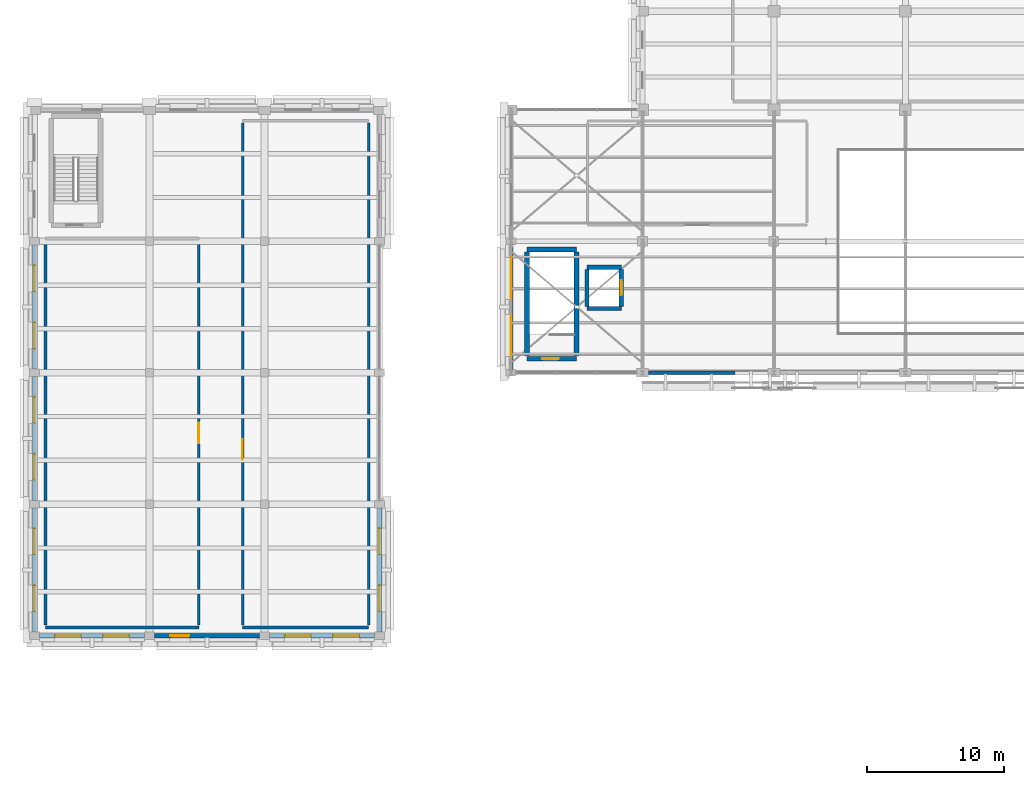
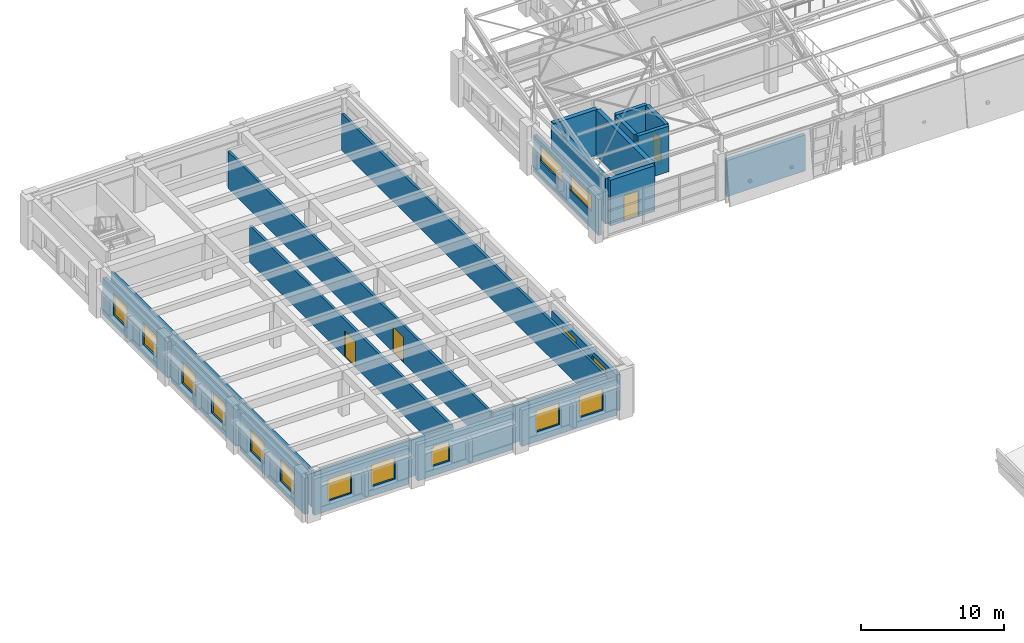
# One storey, part 46 of 58: 23 walls, 15 windows, 4 doors, 19 openings.
"""IFC4 building model written with IfcOpenShell, lengths in metres."""

import ifcopenshell
import ifcopenshell.guid

model = None  # the IFC model being written
_history = None  # IfcOwnerHistory: only IFC2X3 demands one
_inside = {}  # id of a spatial element -> (the spatial element, [elements in it])
_under = {}  # id of a project, library or spatial element -> (it, [spatial elements below it])
_declared = {}  # id of a project -> (the project, [libraries it declares])
_typed = {}  # id of a type object -> (the type object, [elements of that type])
_made_of = {}  # id of a material, layer set ... -> (it, [elements and type objects made of it])


def new_model(schema):
    """Start an empty IFC model of exactly this schema.

    Asked for "IFC4X3", IfcOpenShell would pick the latest addendum, in which some entities
    have other attributes; the version numbers below select the first issue.
    IFC2X3 requires an IfcOwnerHistory on every rooted entity: one is made here for all.
    """
    global model, _history
    if schema == "IFC4X3":
        model = ifcopenshell.file(schema_version=(4, 3, 0, 0))
    else:
        model = ifcopenshell.file(schema=schema)
    _inside.clear()
    _under.clear()
    _declared.clear()
    _typed.clear()
    _made_of.clear()
    _history = None
    if model.schema == "IFC2X3":
        org = make("IfcOrganization", Name="unknown")
        user = make(
            "IfcPersonAndOrganization",
            ThePerson=make("IfcPerson", FamilyName="unknown"),
            TheOrganization=org,
        )
        app = make(
            "IfcApplication",
            ApplicationDeveloper=org,
            Version="unknown",
            ApplicationFullName="unknown",
            ApplicationIdentifier="unknown",
        )
        _history = make(
            "IfcOwnerHistory",
            OwningUser=user,
            OwningApplication=app,
            ChangeAction="ADDED",
            CreationDate=0,
        )
    return model


def make(cls, **values):
    """One entity of the class cls with the attributes given. An attribute that is None is left unset."""
    return model.create_entity(
        cls, **{name: value for name, value in values.items() if value is not None}
    )


def rooted(cls, **values):
    """An entity with a GlobalId (a new one), such as an element, a storey or a relation."""
    return make(cls, GlobalId=ifcopenshell.guid.new(), OwnerHistory=_history, **values)


def si_unit(unit_type, name, prefix=None):
    """IfcSIUnit, for example si_unit("LENGTHUNIT", "METRE", prefix="MILLI")."""
    return make("IfcSIUnit", UnitType=unit_type, Prefix=prefix, Name=name)


def assignment(units):
    """IfcUnitAssignment: the units of a project."""
    return None if units is None else make("IfcUnitAssignment", Units=units)


def point(xyz):
    """IfcCartesianPoint."""
    return None if xyz is None else make("IfcCartesianPoint", Coordinates=xyz)


def direction(xyz):
    """IfcDirection."""
    return None if xyz is None else make("IfcDirection", DirectionRatios=xyz)


def frame(location, z_axis=None, x_axis=None):
    """IfcAxis2Placement3D, a coordinate frame: its origin and axes. An axis left out is left unset."""
    return make(
        "IfcAxis2Placement3D",
        Location=point(location),
        Axis=direction(z_axis),
        RefDirection=direction(x_axis),
    )


def frame_2d(location, x_axis=None):
    """IfcAxis2Placement2D, a coordinate frame in the plane: its origin and x axis."""
    return make(
        "IfcAxis2Placement2D", Location=point(location), RefDirection=direction(x_axis)
    )


def origin():
    """The frame at (0, 0, 0) with its axes left unset."""
    return frame((0.0, 0.0, 0.0))


def place(relative_to, where):
    """IfcLocalPlacement: puts the frame where relative to a parent placement (None: the world)."""
    return make(
        "IfcLocalPlacement", PlacementRelTo=relative_to, RelativePlacement=where
    )


def context(
    kind, dimensions, precision=None, world=None, true_north=None, identifier=None
):
    """IfcGeometricRepresentationContext, for example the 3D "Model" context."""
    return make(
        "IfcGeometricRepresentationContext",
        ContextIdentifier=identifier,
        ContextType=kind,
        CoordinateSpaceDimension=dimensions,
        Precision=precision,
        WorldCoordinateSystem=world,
        TrueNorth=true_north,
    )


def subcontext(parent, identifier, kind, view, scale=None):
    """IfcGeometricRepresentationSubContext, for example "Body" below "Model"."""
    return make(
        "IfcGeometricRepresentationSubContext",
        ContextIdentifier=identifier,
        ContextType=kind,
        ParentContext=parent,
        TargetScale=scale,
        TargetView=view,
    )


def project(units=None, contexts=None):
    """IfcProject with its units and contexts."""
    return rooted(
        "IfcProject",
        Name="project",
        RepresentationContexts=contexts,
        UnitsInContext=assignment(units),
    )


def spatial(cls, under=None, at=None, **own):
    """A site, building, storey or space (cls), placed at a placement, below another one or the project."""
    s = rooted(cls, ObjectPlacement=at, **own)
    if under is not None:
        _under.setdefault(under.id(), (under, []))[1].append(s)
    return s


def profile(cls, at=None, kind="AREA", **sizes):
    """A parametric profile (cls). Its sizes go by their IFC names, for example OverallWidth=200.0."""
    return make(cls, ProfileType=kind, Position=at, **sizes)


def rectangle(**sizes):
    """IfcRectangleProfileDef."""
    return profile("IfcRectangleProfileDef", **sizes)


def extrude(swept, where, along, depth):
    """IfcExtrudedAreaSolid: the profile swept, set in the frame where, extruded along a direction by depth."""
    return make(
        "IfcExtrudedAreaSolid",
        SweptArea=swept,
        Position=where,
        ExtrudedDirection=direction(along),
        Depth=depth,
    )


def shape(context_of_items, identifier, shape_type, items):
    """IfcShapeRepresentation: the items that make up one representation, for example the "Body"."""
    return make(
        "IfcShapeRepresentation",
        ContextOfItems=context_of_items,
        RepresentationIdentifier=identifier,
        RepresentationType=shape_type,
        Items=items,
    )


def material(Name=None, Category=None):
    """IfcMaterial."""
    return make("IfcMaterial", Name=Name, Category=Category)


def layer(
    of_material, thickness, ventilated=None, Name=None, Category=None, Priority=None
):
    """IfcMaterialLayer: one layer of a wall or slab, of a material (None: an air gap)."""
    return make(
        "IfcMaterialLayer",
        Material=of_material,
        LayerThickness=thickness,
        IsVentilated=ventilated,
        Name=Name,
        Category=Category,
        Priority=Priority,
    )


def layer_set(layers, Name=None):
    """IfcMaterialLayerSet."""
    return make("IfcMaterialLayerSet", MaterialLayers=layers, LayerSetName=Name)


def made_of(thing, what):
    """Note that an element or type object is made of a material, layer set ...; save() writes the relation."""
    if what is not None:
        _made_of.setdefault(what.id(), (what, []))[1].append(thing)
    return thing


def type_object(cls, material=None, **own):
    """A type object (cls), such as IfcWallType, which elements share."""
    return made_of(rooted(cls, **own), material)


def element(
    cls,
    number,
    at=None,
    inside=None,
    cuts=None,
    type_object=None,
    material=None,
    context=None,
    identifier="Body",
    shape_type=None,
    held_by="IfcProductDefinitionShape",
    body=None,
    shapes=None,
    **own,
):
    """One element of the class cls, such as IfcWall. Its Tag is "e" and its number.

    at: its placement. inside: the storey or other place that contains it. cuts: it is an
    opening in that element (IfcRelVoidsElement). A single representation is given by context,
    identifier, shape_type and body (its items); several are given by shapes. held_by: the class
    of the entity that holds the representations. save() writes the other relations.
    """
    e = rooted(cls, Tag="e%d" % number, ObjectPlacement=at, **own)
    if body is not None:
        shapes = [shape(context, identifier, shape_type, body)]
    if shapes is not None:
        e.Representation = make(held_by, Representations=shapes)
    if inside is not None:
        _inside.setdefault(inside.id(), (inside, []))[1].append(e)
    if cuts is not None:
        rooted(
            "IfcRelVoidsElement", RelatingBuildingElement=cuts, RelatedOpeningElement=e
        )
    if type_object is not None:
        _typed.setdefault(type_object.id(), (type_object, []))[1].append(e)
    return made_of(e, material)


def fill(opening, filler):
    """IfcRelFillsElement: the door or window that sits in an opening."""
    return rooted(
        "IfcRelFillsElement",
        RelatingOpeningElement=opening,
        RelatedBuildingElement=filler,
    )


def aggregate(whole, parts):
    """IfcRelAggregates: a whole, such as a stair, and the parts it consists of."""
    return rooted("IfcRelAggregates", RelatingObject=whole, RelatedObjects=parts)


def save(model, path):
    """Write the relations noted so far, then the file.

    IfcRelAggregates (storeys below a building ...), IfcRelContainedInSpatialStructure (elements
    in a storey), IfcRelDefinesByType, IfcRelAssociatesMaterial and IfcRelDeclares: one each for
    every whole, place, type object, material and project.
    """
    for whole, parts in _under.values():
        aggregate(whole, parts)
    for where, things in _inside.values():
        rooted(
            "IfcRelContainedInSpatialStructure",
            RelatedElements=things,
            RelatingStructure=where,
        )
    for kind, things in _typed.values():
        rooted("IfcRelDefinesByType", RelatedObjects=things, RelatingType=kind)
    for what, things in _made_of.values():
        rooted("IfcRelAssociatesMaterial", RelatedObjects=things, RelatingMaterial=what)
    for by, libraries in _declared.values():
        rooted("IfcRelDeclares", RelatingContext=by, RelatedDefinitions=libraries)
    model.write(path)


model = new_model("IFC4")

# Units and contexts
model_context = context("Model", 3, precision=1e-05, world=origin(), true_north=direction((0.0, 1.0)))
body_context = subcontext(model_context, "Body", "Model", "MODEL_VIEW")
ifc_project = project(units=[si_unit("LENGTHUNIT", "METRE"), si_unit("AREAUNIT", "SQUARE_METRE"), si_unit("VOLUMEUNIT", "CUBIC_METRE"), si_unit("PLANEANGLEUNIT", "RADIAN"), si_unit("MASSUNIT", "GRAM", prefix="KILO")], contexts=[model_context])

# Site, building, storey
site_placement = place(None, origin())
site = spatial("IfcSite", under=ifc_project, at=site_placement, CompositionType="ELEMENT")
building_placement = place(site_placement, origin())
building = spatial("IfcBuilding", under=site, at=building_placement, Name="Bempovik Park Faculty of Sciences", CompositionType="ELEMENT")
storey_placement = place(building_placement, frame((0.0, 0.0, 18.300048828125)))
storey = spatial("IfcBuildingStorey", under=building, at=storey_placement, Name="L04", CompositionType="ELEMENT", Elevation=18.300048828125)

# Walls
ifc_material_1 = material(Name="Precast concrete C40/50", Category="concrete")
ifc_layer_1 = layer(ifc_material_1, 0.280029296875)
ifc_layer_set_1 = layer_set([ifc_layer_1], Name="Precast concrete C40/50")
wall_type_1 = type_object("IfcWallType", Name="W-25 Wall 280mm", PredefinedType="SOLIDWALL", material=ifc_layer_set_1)
wall_1_placement = place(storey_placement, frame((60.427001953125, 67.800048828125, 0.0), z_axis=(0.0, 0.0, 1.0), x_axis=(1.0, 0.0, 0.0)))
element("IfcWall", 1, at=wall_1_placement, inside=storey, type_object=wall_type_1, Name="L04 Crystal Backup Wall EW-CRYS-L04-9496", PredefinedType="SOLIDWALL", context=body_context, shape_type="SweptSolid", body=[
    extrude(rectangle(XDim=6.342041015625, YDim=0.280029296875, at=frame_2d((3.1708984375, 0.0))), origin(), (0.0, 0.0, 1.0), 3.079833984375),
])
ifc_material_2 = material(Name="Concrete C40/50", Category="concrete")
ifc_layer_2 = layer(ifc_material_2, 0.300048828125)
ifc_layer_set_2 = layer_set([ifc_layer_2], Name="Concrete C40/50")
wall_type_2 = type_object("IfcWallType", Name="W-31 Wall 300mm", PredefinedType="SHEAR", material=ifc_layer_set_2)
for number, where, z_axis, x_axis, name in (
    (2, (55.949951171875, 72.5, 0.0), (0.0, 0.0, 1.0), (1.0, 0.0, 0.0), "Lift LF-3 L04 Shaft Wall South"),
    (3, (55.949951171875, 75.5, 0.0), (0.0, 0.0, 1.0), (1.0, 0.0, 0.0), "Lift LF-3 L04 Shaft Wall North"),
):
    element("IfcWall", number, at=place(storey_placement, frame(where, z_axis=z_axis, x_axis=x_axis)), inside=storey, type_object=wall_type_2, Name=name, PredefinedType="SHEAR", context=body_context, shape_type="SweptSolid", body=[
        extrude(rectangle(XDim=2.5, YDim=0.300048828125, at=frame_2d((1.25, 0.0))), origin(), (0.0, 0.0, 1.0), 3.89990234375),
    ])
wall_2_placement = place(storey_placement, frame((55.949951171875, 72.64990234375, 0.0), z_axis=(0.0, 0.0, 1.0), x_axis=(0.0, 1.0, 0.0)))
element("IfcWall", 4, at=wall_2_placement, inside=storey, type_object=wall_type_2, Name="Lift LF-3 L04 Shaft Wall West", PredefinedType="SHEAR", context=body_context, shape_type="SweptSolid", body=[
    extrude(rectangle(XDim=2.7001953125, YDim=0.300048828125, at=frame_2d((1.35009765625, 0.0))), origin(), (0.0, 0.0, 1.0), 3.89990234375),
])

# Wall, opening, door
wall_3_placement = place(storey_placement, frame((58.449951171875, 72.64990234375, 0.0), z_axis=(0.0, 0.0, 1.0), x_axis=(0.0, 1.0, 0.0)))
wall_3 = element("IfcWall", 5, at=wall_3_placement, inside=storey, type_object=wall_type_2, Name="Lift LF-3 L04 Shaft Wall East", PredefinedType="SHEAR", context=body_context, shape_type="SweptSolid", body=[
    extrude(rectangle(XDim=2.7001953125, YDim=0.300048828125, at=frame_2d((1.35009765625, 0.0))), origin(), (0.0, 0.0, 1.0), 3.89990234375),
])
opening_1_placement = place(wall_3_placement, frame((0.800048828125, 0.0, 0.0)))
opening_1 = element("IfcOpeningElement", 6, at=opening_1_placement, cuts=wall_3, Name="Opening LD-02", PredefinedType="OPENING", context=body_context, shape_type="SweptSolid", body=[
    extrude(rectangle(XDim=1.10009765625, YDim=2.199951171875, at=frame_2d((0.550048828125, 1.10009765625))), frame((0.0, 0.16015625, 0.0), z_axis=(0.0, -1.0, 0.0), x_axis=(1.0, 0.0, 0.0)), (0.0, 0.0, 1.0), 0.320068359375),
])
ifc_material_3 = material(Name="Anodised aluminium", Category="aluminium")
door_type_1 = type_object("IfcDoorType", Name="LD-02 Door 1100x2200", OperationType="NOTDEFINED", PredefinedType="DOOR", material=ifc_material_3)
door_1_placement = place(opening_1_placement, origin())
door_1 = element("IfcDoor", 7, at=door_1_placement, inside=storey, type_object=door_type_1, Name="Lift LF-3 L04 Sliding Landing Door", OperationType="SLIDING_TO_LEFT", OverallHeight=2.199951171875, OverallWidth=1.10009765625, PredefinedType="DOOR", context=body_context, shape_type="SweptSolid", body=[
    extrude(rectangle(XDim=1.10009765625, YDim=2.199951171875, at=frame_2d((0.550048828125, 1.10009765625))), frame((0.0, 0.02490234375, 0.0), z_axis=(0.0, -1.0, 0.0), x_axis=(1.0, 0.0, 0.0)), (0.0, 0.0, 1.0), 0.050048828125),
])
fill(opening_1, door_1)

ifc_layer_3 = layer(ifc_material_2, 0.35009765625)
ifc_layer_set_3 = layer_set([ifc_layer_3], Name="Concrete C40/50")
wall_type_3 = type_object("IfcWallType", Name="W-46 Wall 350mm", PredefinedType="SHEAR", material=ifc_layer_set_3)
wall_4_placement = place(storey_placement, frame((51.574951171875, 68.824951171875, 0.0), z_axis=(0.0, 0.0, 1.0), x_axis=(1.0, 0.0, 0.0)))
wall_4 = element("IfcWall", 8, at=wall_4_placement, inside=storey, type_object=wall_type_3, Name="ST-4 L04 Core Shear Wall South", PredefinedType="SHEAR", context=body_context, shape_type="SweptSolid", body=[
    extrude(rectangle(XDim=3.60009765625, YDim=0.35009765625, at=frame_2d((1.800048828125, 0.0))), origin(), (0.0, 0.0, 1.0), 3.89990234375),
])
opening_2_placement = place(wall_4_placement, frame((1.10009765625, 0.0, 0.0)))
opening_2 = element("IfcOpeningElement", 9, at=opening_2_placement, cuts=wall_4, Name="Opening D-49", PredefinedType="OPENING", context=body_context, shape_type="SweptSolid", body=[
    extrude(rectangle(XDim=1.199951171875, YDim=2.199951171875, at=frame_2d((0.60009765625, 1.10009765625))), frame((0.0, 0.18505859375, 0.0), z_axis=(0.0, -1.0, 0.0), x_axis=(1.0, 0.0, 0.0)), (0.0, 0.0, 1.0), 0.3701171875),
])
ifc_material_4 = material(Name="Painted steel S355", Category="steel")
door_type_2 = type_object("IfcDoorType", Name="D-49 Door 1200x2200", OperationType="NOTDEFINED", PredefinedType="DOOR", material=ifc_material_4)
door_2_placement = place(opening_2_placement, origin())
door_2 = element("IfcDoor", 10, at=door_2_placement, inside=storey, type_object=door_type_2, Name="ST-4 L04 Protected Stair Smoke Door", OperationType="SINGLE_SWING_LEFT", OverallHeight=2.199951171875, OverallWidth=1.199951171875, PredefinedType="DOOR", context=body_context, shape_type="SweptSolid", body=[
    extrude(rectangle(XDim=1.199951171875, YDim=2.199951171875, at=frame_2d((0.60009765625, 1.10009765625))), frame((0.0, 0.02490234375, 0.0), z_axis=(0.0, -1.0, 0.0), x_axis=(1.0, 0.0, 0.0)), (0.0, 0.0, 1.0), 0.050048828125),
])
fill(opening_2, door_2)

# Walls
for number, where, z_axis, x_axis, name in (
    (11, (51.574951171875, 69.02490234375, 0.0), (0.0, 0.0, 1.0), (0.0, 1.0, 0.0), "ST-4 L04 Core Shear Wall West"),
    (12, (55.175048828125, 69.02490234375, 0.0), (0.0, 0.0, 1.0), (0.0, 1.0, 0.0), "ST-4 L04 Core Shear Wall East"),
):
    element("IfcWall", number, at=place(storey_placement, frame(where, z_axis=z_axis, x_axis=x_axis)), inside=storey, type_object=wall_type_3, Name=name, PredefinedType="SHEAR", context=body_context, shape_type="SweptSolid", body=[
        extrude(rectangle(XDim=7.5751953125, YDim=0.35009765625, at=frame_2d((3.78759765625, 0.0))), origin(), (0.0, 0.0, 1.0), 3.89990234375),
    ])
wall_5_placement = place(storey_placement, frame((51.574951171875, 76.800048828125, 0.0), z_axis=(0.0, 0.0, 1.0), x_axis=(1.0, 0.0, 0.0)))
element("IfcWall", 13, at=wall_5_placement, inside=storey, type_object=wall_type_3, Name="ST-4 L04 Core Shear Wall North", PredefinedType="SHEAR", context=body_context, shape_type="SweptSolid", body=[
    extrude(rectangle(XDim=3.60009765625, YDim=0.35009765625, at=frame_2d((1.800048828125, 0.0))), origin(), (0.0, 0.0, 1.0), 3.89990234375),
])

# Wall, openings, windows
ifc_layer_4 = layer(ifc_material_1, 0.260009765625)
ifc_layer_set_4 = layer_set([ifc_layer_4], Name="Precast concrete C40/50")
wall_type_4 = type_object("IfcWallType", Name="W-54 Wall 260mm", PredefinedType="SOLIDWALL", material=ifc_layer_set_4)
wall_6_placement = place(storey_placement, frame((50.39990234375, 68.052001953125, 0.0), z_axis=(0.0, 0.0, 1.0), x_axis=(0.0, 1.0, 0.0)))
wall_6 = element("IfcWall", 14, at=wall_6_placement, inside=storey, type_object=wall_type_4, Name="L04 Classical Precast Facade Wall EW-L04-9658", PredefinedType="SOLIDWALL", context=body_context, shape_type="SweptSolid", body=[
    extrude(rectangle(XDim=9.095947265625, YDim=0.260009765625, at=frame_2d((4.5478515625, 0.0))), origin(), (0.0, 0.0, 1.0), 3.079833984375),
])
opening_3_placement = place(wall_6_placement, frame((0.955810546875, 0.0, 1.449951171875)))
opening_3 = element("IfcOpeningElement", 15, at=opening_3_placement, cuts=wall_6, Name="Opening WN-53", PredefinedType="OPENING", context=body_context, shape_type="SweptSolid", body=[
    extrude(rectangle(XDim=3.0, YDim=1.35009765625, at=frame_2d((1.5, 0.675048828125))), frame((0.0, 0.14013671875, 0.0), z_axis=(0.0, -1.0, 0.0), x_axis=(1.0, 0.0, 0.0)), (0.0, 0.0, 1.0), 0.280029296875),
])
opening_4_placement = place(wall_6_placement, frame((5.14013671875, 0.0, 1.449951171875)))
opening_4 = element("IfcOpeningElement", 16, at=opening_4_placement, cuts=wall_6, Name="Opening WN-53", PredefinedType="OPENING", context=body_context, shape_type="SweptSolid", body=[
    extrude(rectangle(XDim=3.0, YDim=1.35009765625, at=frame_2d((1.5, 0.675048828125))), frame((0.0, 0.14013671875, 0.0), z_axis=(0.0, -1.0, 0.0), x_axis=(1.0, 0.0, 0.0)), (0.0, 0.0, 1.0), 0.280029296875),
])
ifc_material_5 = material(Name="Tempered laminated low-E glass", Category="glass")
window_type_1 = type_object("IfcWindowType", Name="WN-53 Window 3000x1350", PartitioningType="SINGLE_PANEL", PredefinedType="WINDOW", material=ifc_material_5)
window_1_placement = place(opening_3_placement, origin())
window_1 = element("IfcWindow", 17, at=window_1_placement, inside=storey, type_object=window_type_1, Name="L04 Window EW-L04-9658-1", OverallHeight=1.35009765625, OverallWidth=3.0, PartitioningType="SINGLE_PANEL", PredefinedType="WINDOW", context=body_context, shape_type="SweptSolid", body=[
    extrude(rectangle(XDim=3.0, YDim=1.35009765625, at=frame_2d((1.5, 0.675048828125))), frame((0.0, 0.030029296875, 0.0), z_axis=(0.0, -1.0, 0.0), x_axis=(1.0, 0.0, 0.0)), (0.0, 0.0, 1.0), 0.06005859375),
])
fill(opening_3, window_1)
window_2_placement = place(opening_4_placement, origin())
window_2 = element("IfcWindow", 18, at=window_2_placement, inside=storey, type_object=window_type_1, Name="L04 Window EW-L04-9658-2", OverallHeight=1.35009765625, OverallWidth=3.0, PartitioningType="SINGLE_PANEL", PredefinedType="WINDOW", context=body_context, shape_type="SweptSolid", body=[
    extrude(rectangle(XDim=3.0, YDim=1.35009765625, at=frame_2d((1.5, 0.675048828125))), frame((0.0, 0.030029296875, 0.0), z_axis=(0.0, -1.0, 0.0), x_axis=(1.0, 0.0, 0.0)), (0.0, 0.0, 1.0), 0.06005859375),
])
fill(opening_4, window_2)

ifc_layer_5 = layer(ifc_material_1, 0.320068359375)
ifc_layer_set_5 = layer_set([ifc_layer_5], Name="Precast concrete C40/50")
wall_type_5 = type_object("IfcWallType", Name="W-56 Wall 320mm", PredefinedType="SOLIDWALL", material=ifc_layer_set_5)
wall_7_placement = place(storey_placement, frame((15.60009765625, 48.8720703125, 0.0), z_axis=(0.0, 0.0, 1.0), x_axis=(0.0, 1.0, 0.0)))
wall_7 = element("IfcWall", 19, at=wall_7_placement, inside=storey, type_object=wall_type_5, Name="L04 Classical Precast Facade Wall EW-L04-9303", PredefinedType="SOLIDWALL", context=body_context, shape_type="SweptSolid", body=[
    extrude(rectangle(XDim=9.055908203125, YDim=0.320068359375, at=frame_2d((4.52783203125, 0.0))), origin(), (0.0, 0.0, 1.0), 3.079833984375),
])
opening_5_placement = place(wall_7_placement, frame((1.4951171875, 0.0, 0.85009765625)))
opening_5 = element("IfcOpeningElement", 20, at=opening_5_placement, cuts=wall_7, Name="Opening WN-48", PredefinedType="OPENING", context=body_context, shape_type="SweptSolid", body=[
    extrude(rectangle(XDim=1.89990234375, YDim=1.85009765625, at=frame_2d((0.949951171875, 0.925048828125))), frame((0.0, 0.169921875, 0.0), z_axis=(0.0, -1.0, 0.0), x_axis=(1.0, 0.0, 0.0)), (0.0, 0.0, 1.0), 0.340087890625),
])
opening_6_placement = place(wall_7_placement, frame((5.660888671875, 0.0, 0.85009765625)))
opening_6 = element("IfcOpeningElement", 21, at=opening_6_placement, cuts=wall_7, Name="Opening WN-48", PredefinedType="OPENING", context=body_context, shape_type="SweptSolid", body=[
    extrude(rectangle(XDim=1.89990234375, YDim=1.85009765625, at=frame_2d((0.949951171875, 0.925048828125))), frame((0.0, 0.169921875, 0.0), z_axis=(0.0, -1.0, 0.0), x_axis=(1.0, 0.0, 0.0)), (0.0, 0.0, 1.0), 0.340087890625),
])
window_type_2 = type_object("IfcWindowType", Name="WN-48 Window 1900x1850", PartitioningType="SINGLE_PANEL", PredefinedType="WINDOW", material=ifc_material_5)
window_3_placement = place(opening_5_placement, origin())
window_3 = element("IfcWindow", 22, at=window_3_placement, inside=storey, type_object=window_type_2, Name="L04 Window EW-L04-9303-1", OverallHeight=1.85009765625, OverallWidth=1.89990234375, PartitioningType="SINGLE_PANEL", PredefinedType="WINDOW", context=body_context, shape_type="SweptSolid", body=[
    extrude(rectangle(XDim=1.89990234375, YDim=1.85009765625, at=frame_2d((0.949951171875, 0.925048828125))), frame((0.0, 0.030029296875, 0.0), z_axis=(0.0, -1.0, 0.0), x_axis=(1.0, 0.0, 0.0)), (0.0, 0.0, 1.0), 0.06005859375),
])
fill(opening_5, window_3)
window_4_placement = place(opening_6_placement, origin())
window_4 = element("IfcWindow", 23, at=window_4_placement, inside=storey, type_object=window_type_2, Name="L04 Window EW-L04-9303-2", OverallHeight=1.85009765625, OverallWidth=1.89990234375, PartitioningType="SINGLE_PANEL", PredefinedType="WINDOW", context=body_context, shape_type="SweptSolid", body=[
    extrude(rectangle(XDim=1.89990234375, YDim=1.85009765625, at=frame_2d((0.949951171875, 0.925048828125))), frame((0.0, 0.030029296875, 0.0), z_axis=(0.0, -1.0, 0.0), x_axis=(1.0, 0.0, 0.0)), (0.0, 0.0, 1.0), 0.06005859375),
])
fill(opening_6, window_4)

wall_8_placement = place(storey_placement, frame((15.60009765625, 58.471923828125, 0.0), z_axis=(0.0, 0.0, 1.0), x_axis=(0.0, 1.0, 0.0)))
wall_8 = element("IfcWall", 24, at=wall_8_placement, inside=storey, type_object=wall_type_5, Name="L04 Classical Precast Facade Wall EW-L04-9316", PredefinedType="SOLIDWALL", context=body_context, shape_type="SweptSolid", body=[
    extrude(rectangle(XDim=9.05615234375, YDim=0.320068359375, at=frame_2d((4.528076171875, 0.0))), origin(), (0.0, 0.0, 1.0), 3.079833984375),
])
opening_7_placement = place(wall_8_placement, frame((1.4951171875, 0.0, 0.85009765625)))
opening_7 = element("IfcOpeningElement", 25, at=opening_7_placement, cuts=wall_8, Name="Opening WN-48", PredefinedType="OPENING", context=body_context, shape_type="SweptSolid", body=[
    extrude(rectangle(XDim=1.89990234375, YDim=1.85009765625, at=frame_2d((0.949951171875, 0.925048828125))), frame((0.0, 0.169921875, 0.0), z_axis=(0.0, -1.0, 0.0), x_axis=(1.0, 0.0, 0.0)), (0.0, 0.0, 1.0), 0.340087890625),
])
opening_8_placement = place(wall_8_placement, frame((5.660888671875, 0.0, 0.85009765625)))
opening_8 = element("IfcOpeningElement", 26, at=opening_8_placement, cuts=wall_8, Name="Opening WN-48", PredefinedType="OPENING", context=body_context, shape_type="SweptSolid", body=[
    extrude(rectangle(XDim=1.89990234375, YDim=1.85009765625, at=frame_2d((0.949951171875, 0.925048828125))), frame((0.0, 0.169921875, 0.0), z_axis=(0.0, -1.0, 0.0), x_axis=(1.0, 0.0, 0.0)), (0.0, 0.0, 1.0), 0.340087890625),
])
window_5_placement = place(opening_7_placement, origin())
window_5 = element("IfcWindow", 27, at=window_5_placement, inside=storey, type_object=window_type_2, Name="L04 Window EW-L04-9316-1", OverallHeight=1.85009765625, OverallWidth=1.89990234375, PartitioningType="SINGLE_PANEL", PredefinedType="WINDOW", context=body_context, shape_type="SweptSolid", body=[
    extrude(rectangle(XDim=1.89990234375, YDim=1.85009765625, at=frame_2d((0.949951171875, 0.925048828125))), frame((0.0, 0.030029296875, 0.0), z_axis=(0.0, -1.0, 0.0), x_axis=(1.0, 0.0, 0.0)), (0.0, 0.0, 1.0), 0.06005859375),
])
fill(opening_7, window_5)
window_6_placement = place(opening_8_placement, origin())
window_6 = element("IfcWindow", 28, at=window_6_placement, inside=storey, type_object=window_type_2, Name="L04 Window EW-L04-9316-2", OverallHeight=1.85009765625, OverallWidth=1.89990234375, PartitioningType="SINGLE_PANEL", PredefinedType="WINDOW", context=body_context, shape_type="SweptSolid", body=[
    extrude(rectangle(XDim=1.89990234375, YDim=1.85009765625, at=frame_2d((0.949951171875, 0.925048828125))), frame((0.0, 0.030029296875, 0.0), z_axis=(0.0, -1.0, 0.0), x_axis=(1.0, 0.0, 0.0)), (0.0, 0.0, 1.0), 0.06005859375),
])
fill(opening_8, window_6)

wall_9_placement = place(storey_placement, frame((15.60009765625, 68.072021484375, 0.0), z_axis=(0.0, 0.0, 1.0), x_axis=(0.0, 1.0, 0.0)))
wall_9 = element("IfcWall", 29, at=wall_9_placement, inside=storey, type_object=wall_type_5, Name="L04 Classical Precast Facade Wall EW-L04-9328", PredefinedType="SOLIDWALL", context=body_context, shape_type="SweptSolid", body=[
    extrude(rectangle(XDim=9.055908203125, YDim=0.320068359375, at=frame_2d((4.52783203125, 0.0))), origin(), (0.0, 0.0, 1.0), 3.079833984375),
])
opening_9_placement = place(wall_9_placement, frame((1.4951171875, 0.0, 0.85009765625)))
opening_9 = element("IfcOpeningElement", 30, at=opening_9_placement, cuts=wall_9, Name="Opening WN-48", PredefinedType="OPENING", context=body_context, shape_type="SweptSolid", body=[
    extrude(rectangle(XDim=1.89990234375, YDim=1.85009765625, at=frame_2d((0.949951171875, 0.925048828125))), frame((0.0, 0.169921875, 0.0), z_axis=(0.0, -1.0, 0.0), x_axis=(1.0, 0.0, 0.0)), (0.0, 0.0, 1.0), 0.340087890625),
])
opening_10_placement = place(wall_9_placement, frame((5.660888671875, 0.0, 0.85009765625)))
opening_10 = element("IfcOpeningElement", 31, at=opening_10_placement, cuts=wall_9, Name="Opening WN-48", PredefinedType="OPENING", context=body_context, shape_type="SweptSolid", body=[
    extrude(rectangle(XDim=1.89990234375, YDim=1.85009765625, at=frame_2d((0.949951171875, 0.925048828125))), frame((0.0, 0.169921875, 0.0), z_axis=(0.0, -1.0, 0.0), x_axis=(1.0, 0.0, 0.0)), (0.0, 0.0, 1.0), 0.340087890625),
])
window_7_placement = place(opening_9_placement, origin())
window_7 = element("IfcWindow", 32, at=window_7_placement, inside=storey, type_object=window_type_2, Name="L04 Window EW-L04-9328-1", OverallHeight=1.85009765625, OverallWidth=1.89990234375, PartitioningType="SINGLE_PANEL", PredefinedType="WINDOW", context=body_context, shape_type="SweptSolid", body=[
    extrude(rectangle(XDim=1.89990234375, YDim=1.85009765625, at=frame_2d((0.949951171875, 0.925048828125))), frame((0.0, 0.030029296875, 0.0), z_axis=(0.0, -1.0, 0.0), x_axis=(1.0, 0.0, 0.0)), (0.0, 0.0, 1.0), 0.06005859375),
])
fill(opening_9, window_7)
window_8_placement = place(opening_10_placement, origin())
window_8 = element("IfcWindow", 33, at=window_8_placement, inside=storey, type_object=window_type_2, Name="L04 Window EW-L04-9328-2", OverallHeight=1.85009765625, OverallWidth=1.89990234375, PartitioningType="SINGLE_PANEL", PredefinedType="WINDOW", context=body_context, shape_type="SweptSolid", body=[
    extrude(rectangle(XDim=1.89990234375, YDim=1.85009765625, at=frame_2d((0.949951171875, 0.925048828125))), frame((0.0, 0.030029296875, 0.0), z_axis=(0.0, -1.0, 0.0), x_axis=(1.0, 0.0, 0.0)), (0.0, 0.0, 1.0), 0.06005859375),
])
fill(opening_10, window_8)

wall_10_placement = place(storey_placement, frame((40.800048828125, 48.8720703125, 0.0), z_axis=(0.0, 0.0, 1.0), x_axis=(0.0, 1.0, 0.0)))
wall_10 = element("IfcWall", 34, at=wall_10_placement, inside=storey, type_object=wall_type_5, Name="L04 Classical Precast Facade Wall EW-L04-9381", PredefinedType="SOLIDWALL", context=body_context, shape_type="SweptSolid", body=[
    extrude(rectangle(XDim=9.055908203125, YDim=0.320068359375, at=frame_2d((4.52783203125, 0.0))), origin(), (0.0, 0.0, 1.0), 3.079833984375),
])
opening_11_placement = place(wall_10_placement, frame((1.4951171875, 0.0, 0.85009765625)))
opening_11 = element("IfcOpeningElement", 35, at=opening_11_placement, cuts=wall_10, Name="Opening WN-48", PredefinedType="OPENING", context=body_context, shape_type="SweptSolid", body=[
    extrude(rectangle(XDim=1.89990234375, YDim=1.85009765625, at=frame_2d((0.949951171875, 0.925048828125))), frame((0.0, 0.169921875, 0.0), z_axis=(0.0, -1.0, 0.0), x_axis=(1.0, 0.0, 0.0)), (0.0, 0.0, 1.0), 0.340087890625),
])
opening_12_placement = place(wall_10_placement, frame((5.660888671875, 0.0, 0.85009765625)))
opening_12 = element("IfcOpeningElement", 36, at=opening_12_placement, cuts=wall_10, Name="Opening WN-48", PredefinedType="OPENING", context=body_context, shape_type="SweptSolid", body=[
    extrude(rectangle(XDim=1.89990234375, YDim=1.85009765625, at=frame_2d((0.949951171875, 0.925048828125))), frame((0.0, 0.169921875, 0.0), z_axis=(0.0, -1.0, 0.0), x_axis=(1.0, 0.0, 0.0)), (0.0, 0.0, 1.0), 0.340087890625),
])
window_9_placement = place(opening_11_placement, origin())
window_9 = element("IfcWindow", 37, at=window_9_placement, inside=storey, type_object=window_type_2, Name="L04 Window EW-L04-9381-1", OverallHeight=1.85009765625, OverallWidth=1.89990234375, PartitioningType="SINGLE_PANEL", PredefinedType="WINDOW", context=body_context, shape_type="SweptSolid", body=[
    extrude(rectangle(XDim=1.89990234375, YDim=1.85009765625, at=frame_2d((0.949951171875, 0.925048828125))), frame((0.0, 0.030029296875, 0.0), z_axis=(0.0, -1.0, 0.0), x_axis=(1.0, 0.0, 0.0)), (0.0, 0.0, 1.0), 0.06005859375),
])
fill(opening_11, window_9)
window_10_placement = place(opening_12_placement, origin())
window_10 = element("IfcWindow", 38, at=window_10_placement, inside=storey, type_object=window_type_2, Name="L04 Window EW-L04-9381-2", OverallHeight=1.85009765625, OverallWidth=1.89990234375, PartitioningType="SINGLE_PANEL", PredefinedType="WINDOW", context=body_context, shape_type="SweptSolid", body=[
    extrude(rectangle(XDim=1.89990234375, YDim=1.85009765625, at=frame_2d((0.949951171875, 0.925048828125))), frame((0.0, 0.030029296875, 0.0), z_axis=(0.0, -1.0, 0.0), x_axis=(1.0, 0.0, 0.0)), (0.0, 0.0, 1.0), 0.06005859375),
])
fill(opening_12, window_10)

wall_11_placement = place(storey_placement, frame((15.9619140625, 48.60009765625, 0.0), z_axis=(0.0, 0.0, 1.0), x_axis=(1.0, 0.0, 0.0)))
wall_11 = element("IfcWall", 39, at=wall_11_placement, inside=storey, type_object=wall_type_5, Name="L04 Classical Precast Facade Wall EW-L04-9443", PredefinedType="SOLIDWALL", context=body_context, shape_type="SweptSolid", body=[
    extrude(rectangle(XDim=7.676025390625, YDim=0.320068359375, at=frame_2d((3.837890625, 0.0))), origin(), (0.0, 0.0, 1.0), 3.079833984375),
])
opening_13_placement = place(wall_11_placement, frame((1.12255859375, 0.0, 0.85009765625)))
opening_13 = element("IfcOpeningElement", 40, at=opening_13_placement, cuts=wall_11, Name="Opening WN-48", PredefinedType="OPENING", context=body_context, shape_type="SweptSolid", body=[
    extrude(rectangle(XDim=1.89990234375, YDim=1.85009765625, at=frame_2d((0.949951171875, 0.925048828125))), frame((0.0, 0.169921875, 0.0), z_axis=(0.0, -1.0, 0.0), x_axis=(1.0, 0.0, 0.0)), (0.0, 0.0, 1.0), 0.340087890625),
])
opening_14_placement = place(wall_11_placement, frame((4.653564453125, 0.0, 0.85009765625)))
opening_14 = element("IfcOpeningElement", 41, at=opening_14_placement, cuts=wall_11, Name="Opening WN-48", PredefinedType="OPENING", context=body_context, shape_type="SweptSolid", body=[
    extrude(rectangle(XDim=1.89990234375, YDim=1.85009765625, at=frame_2d((0.949951171875, 0.925048828125))), frame((0.0, 0.169921875, 0.0), z_axis=(0.0, -1.0, 0.0), x_axis=(1.0, 0.0, 0.0)), (0.0, 0.0, 1.0), 0.340087890625),
])
window_11_placement = place(opening_13_placement, origin())
window_11 = element("IfcWindow", 42, at=window_11_placement, inside=storey, type_object=window_type_2, Name="L04 Window EW-L04-9443-1", OverallHeight=1.85009765625, OverallWidth=1.89990234375, PartitioningType="SINGLE_PANEL", PredefinedType="WINDOW", context=body_context, shape_type="SweptSolid", body=[
    extrude(rectangle(XDim=1.89990234375, YDim=1.85009765625, at=frame_2d((0.949951171875, 0.925048828125))), frame((0.0, 0.030029296875, 0.0), z_axis=(0.0, -1.0, 0.0), x_axis=(1.0, 0.0, 0.0)), (0.0, 0.0, 1.0), 0.06005859375),
])
fill(opening_13, window_11)
window_12_placement = place(opening_14_placement, origin())
window_12 = element("IfcWindow", 43, at=window_12_placement, inside=storey, type_object=window_type_2, Name="L04 Window EW-L04-9443-2", OverallHeight=1.85009765625, OverallWidth=1.89990234375, PartitioningType="SINGLE_PANEL", PredefinedType="WINDOW", context=body_context, shape_type="SweptSolid", body=[
    extrude(rectangle(XDim=1.89990234375, YDim=1.85009765625, at=frame_2d((0.949951171875, 0.925048828125))), frame((0.0, 0.030029296875, 0.0), z_axis=(0.0, -1.0, 0.0), x_axis=(1.0, 0.0, 0.0)), (0.0, 0.0, 1.0), 0.06005859375),
])
fill(opening_14, window_12)

# Wall, opening, window
wall_12_placement = place(storey_placement, frame((24.362060546875, 48.60009765625, 0.0), z_axis=(0.0, 0.0, 1.0), x_axis=(1.0, 0.0, 0.0)))
wall_12 = element("IfcWall", 44, at=wall_12_placement, inside=storey, type_object=wall_type_5, Name="L04 Classical Precast Facade Wall EW-L04-9456", PredefinedType="SOLIDWALL", context=body_context, shape_type="SweptSolid", body=[
    extrude(rectangle(XDim=7.676025390625, YDim=0.320068359375, at=frame_2d((3.837890625, 0.0))), origin(), (0.0, 0.0, 1.0), 3.079833984375),
])
opening_15_placement = place(wall_12_placement, frame((1.14208984375, 0.0, 0.85009765625)))
opening_15 = element("IfcOpeningElement", 45, at=opening_15_placement, cuts=wall_12, Name="Opening WN-84", PredefinedType="OPENING", context=body_context, shape_type="SweptSolid", body=[
    extrude(rectangle(XDim=1.39990234375, YDim=1.64990234375, at=frame_2d((0.699951171875, 0.824951171875))), frame((0.0, 0.169921875, 0.0), z_axis=(0.0, -1.0, 0.0), x_axis=(1.0, 0.0, 0.0)), (0.0, 0.0, 1.0), 0.340087890625),
])
window_type_3 = type_object("IfcWindowType", Name="WN-84 Window 1400x1650", PartitioningType="SINGLE_PANEL", PredefinedType="WINDOW", material=ifc_material_5)
window_13_placement = place(opening_15_placement, origin())
window_13 = element("IfcWindow", 46, at=window_13_placement, inside=storey, type_object=window_type_3, Name="L04 Window EW-L04-9456-FB", OverallHeight=1.64990234375, OverallWidth=1.39990234375, PartitioningType="SINGLE_PANEL", PredefinedType="WINDOW", context=body_context, shape_type="SweptSolid", body=[
    extrude(rectangle(XDim=1.39990234375, YDim=1.64990234375, at=frame_2d((0.699951171875, 0.824951171875))), frame((0.0, 0.030029296875, 0.0), z_axis=(0.0, -1.0, 0.0), x_axis=(1.0, 0.0, 0.0)), (0.0, 0.0, 1.0), 0.06005859375),
])
fill(opening_15, window_13)

# Wall, openings, windows
wall_13_placement = place(storey_placement, frame((32.761962890625, 48.60009765625, 0.0), z_axis=(0.0, 0.0, 1.0), x_axis=(1.0, 0.0, 0.0)))
wall_13 = element("IfcWall", 47, at=wall_13_placement, inside=storey, type_object=wall_type_5, Name="L04 Classical Precast Facade Wall EW-L04-9466", PredefinedType="SOLIDWALL", context=body_context, shape_type="SweptSolid", body=[
    extrude(rectangle(XDim=7.676025390625, YDim=0.320068359375, at=frame_2d((3.837890625, 0.0))), origin(), (0.0, 0.0, 1.0), 3.079833984375),
])
opening_16_placement = place(wall_13_placement, frame((1.12255859375, 0.0, 0.85009765625)))
opening_16 = element("IfcOpeningElement", 48, at=opening_16_placement, cuts=wall_13, Name="Opening WN-48", PredefinedType="OPENING", context=body_context, shape_type="SweptSolid", body=[
    extrude(rectangle(XDim=1.89990234375, YDim=1.85009765625, at=frame_2d((0.949951171875, 0.925048828125))), frame((0.0, 0.169921875, 0.0), z_axis=(0.0, -1.0, 0.0), x_axis=(1.0, 0.0, 0.0)), (0.0, 0.0, 1.0), 0.340087890625),
])
opening_17_placement = place(wall_13_placement, frame((4.653564453125, 0.0, 0.85009765625)))
opening_17 = element("IfcOpeningElement", 49, at=opening_17_placement, cuts=wall_13, Name="Opening WN-48", PredefinedType="OPENING", context=body_context, shape_type="SweptSolid", body=[
    extrude(rectangle(XDim=1.89990234375, YDim=1.85009765625, at=frame_2d((0.949951171875, 0.925048828125))), frame((0.0, 0.169921875, 0.0), z_axis=(0.0, -1.0, 0.0), x_axis=(1.0, 0.0, 0.0)), (0.0, 0.0, 1.0), 0.340087890625),
])
window_14_placement = place(opening_16_placement, origin())
window_14 = element("IfcWindow", 50, at=window_14_placement, inside=storey, type_object=window_type_2, Name="L04 Window EW-L04-9466-1", OverallHeight=1.85009765625, OverallWidth=1.89990234375, PartitioningType="SINGLE_PANEL", PredefinedType="WINDOW", context=body_context, shape_type="SweptSolid", body=[
    extrude(rectangle(XDim=1.89990234375, YDim=1.85009765625, at=frame_2d((0.949951171875, 0.925048828125))), frame((0.0, 0.030029296875, 0.0), z_axis=(0.0, -1.0, 0.0), x_axis=(1.0, 0.0, 0.0)), (0.0, 0.0, 1.0), 0.06005859375),
])
fill(opening_16, window_14)
window_15_placement = place(opening_17_placement, origin())
window_15 = element("IfcWindow", 51, at=window_15_placement, inside=storey, type_object=window_type_2, Name="L04 Window EW-L04-9466-2", OverallHeight=1.85009765625, OverallWidth=1.89990234375, PartitioningType="SINGLE_PANEL", PredefinedType="WINDOW", context=body_context, shape_type="SweptSolid", body=[
    extrude(rectangle(XDim=1.89990234375, YDim=1.85009765625, at=frame_2d((0.949951171875, 0.925048828125))), frame((0.0, 0.030029296875, 0.0), z_axis=(0.0, -1.0, 0.0), x_axis=(1.0, 0.0, 0.0)), (0.0, 0.0, 1.0), 0.06005859375),
])
fill(opening_17, window_15)

# Walls
ifc_material_6 = material(Name="Concrete C35/45", Category="concrete")
ifc_layer_6 = layer(ifc_material_6, 0.199951171875)
ifc_layer_set_6 = layer_set([ifc_layer_6], Name="Concrete C35/45")
wall_type_6 = type_object("IfcWallType", Name="W-59 Wall 200mm", PredefinedType="PARTITIONING", material=ifc_layer_set_6)
wall_14_placement = place(storey_placement, frame((16.39990234375, 49.199951171875, 0.0), z_axis=(0.0, 0.0, 1.0), x_axis=(1.0, 0.0, 0.0)))
element("IfcWall", 52, at=wall_14_placement, inside=storey, type_object=wall_type_6, Name="L04 Cell Biology Wet Research Laboratory Partition South", PredefinedType="PARTITIONING", context=body_context, shape_type="SweptSolid", body=[
    extrude(rectangle(XDim=11.2001953125, YDim=0.199951171875, at=frame_2d((5.60009765625, 0.0))), origin(), (0.0, 0.0, 1.0), 3.14990234375),
])
wall_15_placement = place(storey_placement, frame((16.39990234375, 49.360107421875, 0.0), z_axis=(0.0, 0.0, 1.0), x_axis=(0.0, 1.0, 0.0)))
element("IfcWall", 53, at=wall_15_placement, inside=storey, type_object=wall_type_6, Name="L04 Cell Biology Wet Research Laboratory Partition West", PredefinedType="PARTITIONING", context=body_context, shape_type="SweptSolid", body=[
    extrude(rectangle(XDim=28.079833984375, YDim=0.199951171875, at=frame_2d((14.0400390625, 0.0))), origin(), (0.0, 0.0, 1.0), 3.14990234375),
])

# Wall, opening, door
wall_16_placement = place(storey_placement, frame((27.60009765625, 49.360107421875, 0.0), z_axis=(0.0, 0.0, 1.0), x_axis=(0.0, 1.0, 0.0)))
wall_16 = element("IfcWall", 54, at=wall_16_placement, inside=storey, type_object=wall_type_6, Name="L04 Cell Biology Wet Research Laboratory Partition East", PredefinedType="PARTITIONING", context=body_context, shape_type="SweptSolid", body=[
    extrude(rectangle(XDim=28.079833984375, YDim=0.199951171875, at=frame_2d((14.0400390625, 0.0))), origin(), (0.0, 0.0, 1.0), 3.14990234375),
])
opening_18_placement = place(wall_16_placement, frame((13.2900390625, 0.0, 0.0)))
opening_18 = element("IfcOpeningElement", 55, at=opening_18_placement, cuts=wall_16, Name="Opening D-22", PredefinedType="OPENING", context=body_context, shape_type="SweptSolid", body=[
    extrude(rectangle(XDim=1.5, YDim=2.199951171875, at=frame_2d((0.75, 1.10009765625))), frame((0.0, 0.10986328125, 0.0), z_axis=(0.0, -1.0, 0.0), x_axis=(1.0, 0.0, 0.0)), (0.0, 0.0, 1.0), 0.219970703125),
])
ifc_material_7 = material(Name="West African hardwood finish", Category="wood")
door_type_3 = type_object("IfcDoorType", Name="D-22 Door 1500x2200", OperationType="NOTDEFINED", PredefinedType="DOOR", material=ifc_material_7)
door_3_placement = place(opening_18_placement, origin())
door_3 = element("IfcDoor", 56, at=door_3_placement, inside=storey, type_object=door_type_3, Name="L04 Cell Biology Wet Research Laboratory Door", OperationType="SINGLE_SWING_LEFT", OverallHeight=2.199951171875, OverallWidth=1.5, PredefinedType="DOOR", context=body_context, shape_type="SweptSolid", body=[
    extrude(rectangle(XDim=1.5, YDim=2.199951171875, at=frame_2d((0.75, 1.10009765625))), frame((0.0, 0.02490234375, 0.0), z_axis=(0.0, -1.0, 0.0), x_axis=(1.0, 0.0, 0.0)), (0.0, 0.0, 1.0), 0.050048828125),
])
fill(opening_18, door_3)

# Wall
wall_17_placement = place(storey_placement, frame((30.800048828125, 49.199951171875, 0.0), z_axis=(0.0, 0.0, 1.0), x_axis=(1.0, 0.0, 0.0)))
element("IfcWall", 57, at=wall_17_placement, inside=storey, type_object=wall_type_6, Name="L04 Proteomics Instrumentation Laboratory Partition South", PredefinedType="PARTITIONING", context=body_context, shape_type="SweptSolid", body=[
    extrude(rectangle(XDim=9.199951171875, YDim=0.199951171875, at=frame_2d((4.60009765625, 0.0))), origin(), (0.0, 0.0, 1.0), 3.14990234375),
])

# Wall, opening, door
wall_18_placement = place(storey_placement, frame((30.800048828125, 49.360107421875, 0.0), z_axis=(0.0, 0.0, 1.0), x_axis=(0.0, 1.0, 0.0)))
wall_18 = element("IfcWall", 58, at=wall_18_placement, inside=storey, type_object=wall_type_6, Name="L04 Proteomics Instrumentation Laboratory Partition West", PredefinedType="PARTITIONING", context=body_context, shape_type="SweptSolid", body=[
    extrude(rectangle(XDim=36.679931640625, YDim=0.199951171875, at=frame_2d((18.33984375, 0.0))), origin(), (0.0, 0.0, 1.0), 3.14990234375),
])
opening_19_placement = place(wall_18_placement, frame((12.087890625, 0.0, 0.0)))
opening_19 = element("IfcOpeningElement", 59, at=opening_19_placement, cuts=wall_18, Name="Opening D-22", PredefinedType="OPENING", context=body_context, shape_type="SweptSolid", body=[
    extrude(rectangle(XDim=1.5, YDim=2.199951171875, at=frame_2d((0.75, 1.10009765625))), frame((0.0, 0.10986328125, 0.0), z_axis=(0.0, -1.0, 0.0), x_axis=(1.0, 0.0, 0.0)), (0.0, 0.0, 1.0), 0.219970703125),
])
door_4_placement = place(opening_19_placement, origin())
door_4 = element("IfcDoor", 60, at=door_4_placement, inside=storey, type_object=door_type_3, Name="L04 Proteomics Instrumentation Laboratory Door", OperationType="SINGLE_SWING_RIGHT", OverallHeight=2.199951171875, OverallWidth=1.5, PredefinedType="DOOR", context=body_context, shape_type="SweptSolid", body=[
    extrude(rectangle(XDim=1.5, YDim=2.199951171875, at=frame_2d((0.75, 1.10009765625))), frame((0.0, 0.02490234375, 0.0), z_axis=(0.0, -1.0, 0.0), x_axis=(1.0, 0.0, 0.0)), (0.0, 0.0, 1.0), 0.050048828125),
])
fill(opening_19, door_4)

# Wall
wall_19_placement = place(storey_placement, frame((40.0, 49.360107421875, 0.0), z_axis=(0.0, 0.0, 1.0), x_axis=(0.0, 1.0, 0.0)))
element("IfcWall", 61, at=wall_19_placement, inside=storey, type_object=wall_type_6, Name="L04 Proteomics Instrumentation Laboratory Partition East", PredefinedType="PARTITIONING", context=body_context, shape_type="SweptSolid", body=[
    extrude(rectangle(XDim=36.679931640625, YDim=0.199951171875, at=frame_2d((18.33984375, 0.0))), origin(), (0.0, 0.0, 1.0), 3.14990234375),
])

save(model, "model.ifc")
